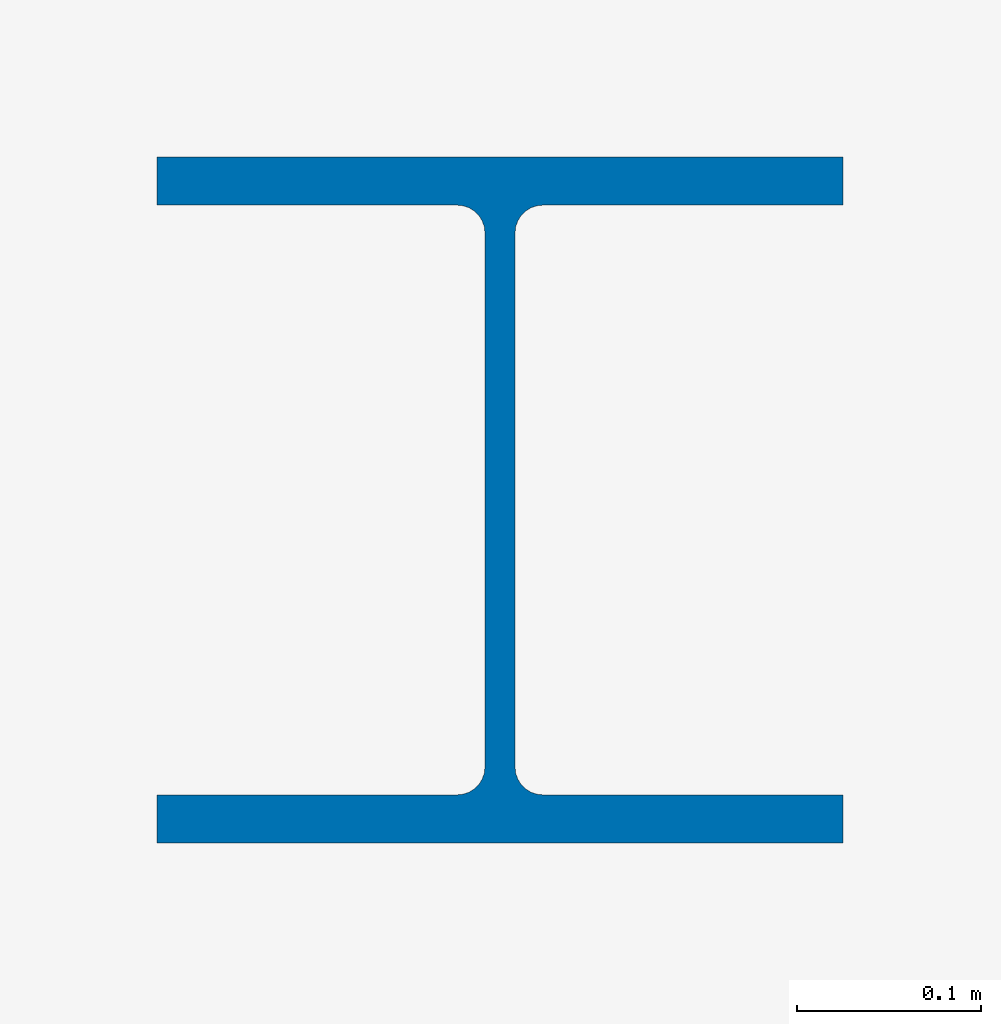
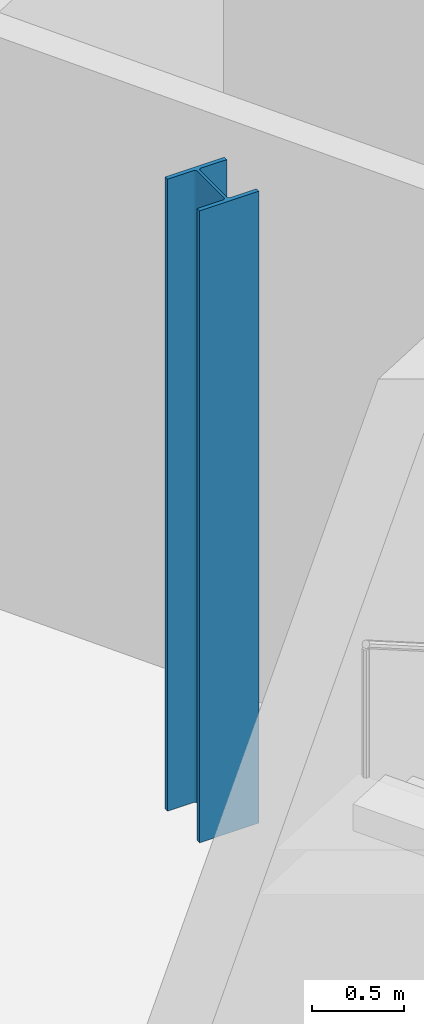
# One storey, part 1 of 16: 1 column.
"""IFC4 building model written with IfcOpenShell, lengths in metres."""

from ifc_helpers import new_model, si_unit, direction, frame, origin, origin_2d, place, context, subcontext, project, spatial, i_section, extrude, material, material_profile, profile_set, type_object, element, save


model = new_model("IFC4")

# Units and contexts
model_context = context("Model", 3, precision=1e-05, world=origin(), true_north=direction((0.0, 1.0)))
body_context = subcontext(model_context, "Body", "Model", "MODEL_VIEW")
ifc_project = project(units=[si_unit("LENGTHUNIT", "METRE"), si_unit("AREAUNIT", "SQUARE_METRE"), si_unit("VOLUMEUNIT", "CUBIC_METRE"), si_unit("PLANEANGLEUNIT", "RADIAN"), si_unit("MASSUNIT", "GRAM", prefix="KILO")], contexts=[model_context])

# Site, building, storey
site_placement = place(None, origin())
site = spatial("IfcSite", under=ifc_project, at=site_placement, CompositionType="ELEMENT")
building_placement = place(site_placement, origin())
building = spatial("IfcBuilding", under=site, at=building_placement, Name="Cormorant Relay Tower", CompositionType="ELEMENT")
storey_placement = place(building_placement, frame((0.0, 0.0, 340.800048828125)))
storey = spatial("IfcBuildingStorey", under=building, at=storey_placement, Name="C4", CompositionType="ELEMENT", Elevation=340.800048828125)

# Column
ifc_material = material(Name="Steel ASTM A992 (Fy 345 MPa)", Category="steel")
ifc_material_profile = material_profile(ifc_material, i_section(OverallWidth=0.373291015625, OverallDepth=0.373291015625, WebThickness=0.016357421875, FlangeThickness=0.026123046875, FilletRadius=0.01513671875, at=origin_2d()), Name="W360x196")
ifc_profile_set = profile_set([ifc_material_profile], Name="Steel ASTM A992 (Fy 345 MPa)")
column_type = type_object("IfcColumnType", Name="Column W360x196", PredefinedType="COLUMN", material=ifc_profile_set)
column_placement = place(storey_placement, frame((-51.68994140625, 15.251953125, 0.0), z_axis=(0.0, 0.0, 1.0), x_axis=(1.0, 0.0, 0.0)))
element("IfcColumn", 1, at=column_placement, inside=storey, type_object=column_type, Name="Column C4-003", PredefinedType="COLUMN", context=body_context, shape_type="SweptSolid", body=[
    extrude(i_section(OverallWidth=0.373291015625, OverallDepth=0.373291015625, WebThickness=0.016357421875, FlangeThickness=0.026123046875, FilletRadius=0.01513671875, at=origin_2d()), origin(), (0.0, 0.0, 1.0), 4.199951171875),
])

save(model, "model.ifc")
